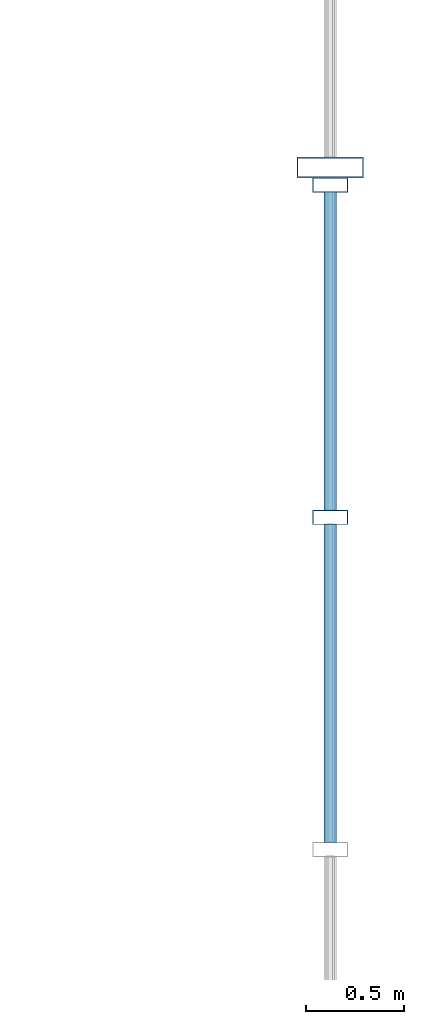
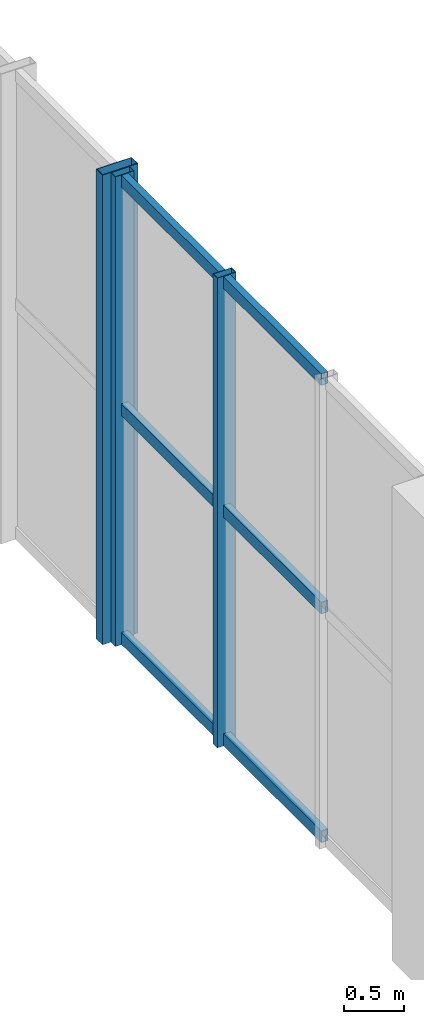
# One storey, part 58 of 106: 9 members, 2 elements without a shape of their own.
"""IFC4 building model written with IfcOpenShell, lengths in metres."""

from ifc_helpers import new_model, si_unit, direction, frame, origin, origin_2d, place, context, subcontext, project, spatial, hollow_rectangle, extrude, material, layer, layer_set, material_profile, profile_set, type_object, element, aggregate, save


model = new_model("IFC4")

# Units and contexts
model_context = context("Model", 3, precision=1e-05, world=origin(), true_north=direction((0.0, 1.0)))
body_context = subcontext(model_context, "Body", "Model", "MODEL_VIEW")
ifc_project = project(units=[si_unit("LENGTHUNIT", "METRE"), si_unit("AREAUNIT", "SQUARE_METRE"), si_unit("VOLUMEUNIT", "CUBIC_METRE"), si_unit("PLANEANGLEUNIT", "RADIAN"), si_unit("MASSUNIT", "GRAM", prefix="KILO"), si_unit("POWERUNIT", "WATT"), si_unit("THERMODYNAMICTEMPERATUREUNIT", "KELVIN")], contexts=[model_context])

# Site, building, storey
site_placement = place(None, origin())
site = spatial("IfcSite", under=ifc_project, at=site_placement, CompositionType="ELEMENT")
building_placement = place(site_placement, origin())
building = spatial("IfcBuilding", under=site, at=building_placement, Name="Kelmbourne Parkland Aquatics Centre", CompositionType="ELEMENT")
storey_placement = place(building_placement, frame((0.0, 0.0, 5.39990234375)))
storey = spatial("IfcBuildingStorey", under=building, at=storey_placement, Name="L01", CompositionType="ELEMENT", Elevation=5.39990234375)

# Curtain wall, members
ifc_material = material(Name="Thermally broken anodised aluminium framing", Category="aluminium")
ifc_layer_1 = layer(ifc_material, 0.179931640625)
ifc_layer_set_1 = layer_set([ifc_layer_1], Name="Thermally broken anodised aluminium framing")
curtain_wall_type_1 = type_object("IfcCurtainWallType", Name="CW-03", PredefinedType="NOTDEFINED", material=ifc_layer_set_1)
curtain_wall_1_placement = place(storey_placement, origin())
curtain_wall_1 = element("IfcCurtainWall", 1, at=curtain_wall_1_placement, inside=storey, type_object=curtain_wall_type_1, Name="Wave-hall clerestory curtain wall CW-L01-051", PredefinedType="NOTDEFINED")
ifc_material_profile_1 = material_profile(ifc_material, hollow_rectangle(XDim=0.074951171875, YDim=0.179931640625, WallThickness=0.00439453125, at=origin_2d()), Name="CW-M 75x180")
ifc_profile_set_1 = profile_set([ifc_material_profile_1], Name="Thermally broken anodised aluminium framing")
member_type_1 = type_object("IfcMemberType", Name="MB-MUL-2", PredefinedType="MULLION", material=ifc_profile_set_1)
member_1_placement = place(storey_placement, frame((175.199951171875, 61.771484375, 0.0), z_axis=(0.0, 0.0, 1.0), x_axis=(0.0, 1.0, 0.0)))
member_1 = element("IfcMember", 2, at=member_1_placement, type_object=member_type_1, Name="CW-L01-051 mullion 2", PredefinedType="MULLION", context=body_context, shape_type="SweptSolid", body=[
    extrude(hollow_rectangle(XDim=0.074951171875, YDim=0.179931640625, WallThickness=0.00439453125, at=origin_2d()), origin(), (0.0, 0.0, 1.0), 4.75),
])
member_2_placement = place(storey_placement, frame((175.199951171875, 63.46240234375, 0.0), z_axis=(0.0, 0.0, 1.0), x_axis=(0.0, 1.0, 0.0)))
member_2 = element("IfcMember", 3, at=member_2_placement, type_object=member_type_1, Name="CW-L01-051 mullion 3", PredefinedType="MULLION", context=body_context, shape_type="SweptSolid", body=[
    extrude(hollow_rectangle(XDim=0.074951171875, YDim=0.179931640625, WallThickness=0.00439453125, at=origin_2d()), origin(), (0.0, 0.0, 1.0), 4.75),
])

# Curtain wall, member
ifc_layer_2 = layer(ifc_material, 0.179931640625)
ifc_layer_set_2 = layer_set([ifc_layer_2], Name="Thermally broken anodised aluminium framing")
curtain_wall_type_2 = type_object("IfcCurtainWallType", Name="CW-06", PredefinedType="NOTDEFINED", material=ifc_layer_set_2)
curtain_wall_2_placement = place(storey_placement, origin())
curtain_wall_2 = element("IfcCurtainWall", 4, at=curtain_wall_2_placement, inside=storey, type_object=curtain_wall_type_2, Name="Wave-hall clerestory curtain wall CW-L01-054", PredefinedType="NOTDEFINED")
ifc_material_profile_2 = material_profile(ifc_material, hollow_rectangle(XDim=0.10498046875, YDim=0.340087890625, WallThickness=0.006103515625, at=origin_2d()), Name="CW-M 105x340")
ifc_profile_set_2 = profile_set([ifc_material_profile_2], Name="Thermally broken anodised aluminium framing")
member_type_2 = type_object("IfcMemberType", Name="MB-MUL-5", PredefinedType="MULLION", material=ifc_profile_set_2)
member_3_placement = place(storey_placement, frame((175.199951171875, 63.552490234375, 0.0), z_axis=(0.0, 0.0, 1.0), x_axis=(0.0, 1.0, 0.0)))
member_3 = element("IfcMember", 5, at=member_3_placement, type_object=member_type_2, Name="CW-L01-054 mullion 0", PredefinedType="MULLION", context=body_context, shape_type="SweptSolid", body=[
    extrude(hollow_rectangle(XDim=0.10498046875, YDim=0.340087890625, WallThickness=0.006103515625, at=origin_2d()), origin(), (0.0, 0.0, 1.0), 4.75),
])
aggregate(curtain_wall_2, [member_3])

# Member
ifc_material_profile_3 = material_profile(ifc_material, hollow_rectangle(XDim=0.06494140625, YDim=0.1201171875, WallThickness=0.00341796875, at=origin_2d()), Name="CW-T 65x120")
ifc_profile_set_3 = profile_set([ifc_material_profile_3], Name="Thermally broken anodised aluminium framing")
member_type_3 = type_object("IfcMemberType", Name="MB-TRN-1", PredefinedType="USERDEFINED", material=ifc_profile_set_3)
member_4_placement = place(storey_placement, frame((175.199951171875, 60.114013671875, 0.06298828125), z_axis=(0.0, 1.0, 0.0), x_axis=(-1.0, 0.0, 0.0)))
member_4 = element("IfcMember", 6, at=member_4_placement, type_object=member_type_3, Name="CW-L01-051 transom 0-1", ObjectType="TRANSOM", PredefinedType="USERDEFINED", context=body_context, shape_type="SweptSolid", body=[
    extrude(hollow_rectangle(XDim=0.06494140625, YDim=0.1201171875, WallThickness=0.00341796875, at=origin_2d()), origin(), (0.0, 0.0, 1.0), 1.6240234375),
])

member_5_placement = place(storey_placement, frame((175.199951171875, 61.804931640625, 0.06298828125), z_axis=(0.0, 1.0, 0.0), x_axis=(-1.0, 0.0, 0.0)))
member_5 = element("IfcMember", 7, at=member_5_placement, type_object=member_type_3, Name="CW-L01-051 transom 0-2", ObjectType="TRANSOM", PredefinedType="USERDEFINED", context=body_context, shape_type="SweptSolid", body=[
    extrude(hollow_rectangle(XDim=0.06494140625, YDim=0.1201171875, WallThickness=0.00341796875, at=origin_2d()), origin(), (0.0, 0.0, 1.0), 1.6240234375),
])

member_6_placement = place(storey_placement, frame((175.199951171875, 60.114013671875, 2.375), z_axis=(0.0, 1.0, 0.0), x_axis=(-1.0, 0.0, 0.0)))
member_6 = element("IfcMember", 8, at=member_6_placement, type_object=member_type_3, Name="CW-L01-051 transom 1-1", ObjectType="TRANSOM", PredefinedType="USERDEFINED", context=body_context, shape_type="SweptSolid", body=[
    extrude(hollow_rectangle(XDim=0.06494140625, YDim=0.1201171875, WallThickness=0.00341796875, at=origin_2d()), origin(), (0.0, 0.0, 1.0), 1.6240234375),
])

member_7_placement = place(storey_placement, frame((175.199951171875, 61.804931640625, 2.375), z_axis=(0.0, 1.0, 0.0), x_axis=(-1.0, 0.0, 0.0)))
member_7 = element("IfcMember", 9, at=member_7_placement, type_object=member_type_3, Name="CW-L01-051 transom 1-2", ObjectType="TRANSOM", PredefinedType="USERDEFINED", context=body_context, shape_type="SweptSolid", body=[
    extrude(hollow_rectangle(XDim=0.06494140625, YDim=0.1201171875, WallThickness=0.00341796875, at=origin_2d()), origin(), (0.0, 0.0, 1.0), 1.6240234375),
])

member_8_placement = place(storey_placement, frame((175.199951171875, 60.114013671875, 4.68701171875), z_axis=(0.0, 1.0, 0.0), x_axis=(-1.0, 0.0, 0.0)))
member_8 = element("IfcMember", 10, at=member_8_placement, type_object=member_type_3, Name="CW-L01-051 transom 2-1", ObjectType="TRANSOM", PredefinedType="USERDEFINED", context=body_context, shape_type="SweptSolid", body=[
    extrude(hollow_rectangle(XDim=0.06494140625, YDim=0.1201171875, WallThickness=0.00341796875, at=origin_2d()), origin(), (0.0, 0.0, 1.0), 1.6240234375),
])

member_9_placement = place(storey_placement, frame((175.199951171875, 61.804931640625, 4.68701171875), z_axis=(0.0, 1.0, 0.0), x_axis=(-1.0, 0.0, 0.0)))
member_9 = element("IfcMember", 11, at=member_9_placement, type_object=member_type_3, Name="CW-L01-051 transom 2-2", ObjectType="TRANSOM", PredefinedType="USERDEFINED", context=body_context, shape_type="SweptSolid", body=[
    extrude(hollow_rectangle(XDim=0.06494140625, YDim=0.1201171875, WallThickness=0.00341796875, at=origin_2d()), origin(), (0.0, 0.0, 1.0), 1.6240234375),
])

aggregate(curtain_wall_1, [member_1, member_2, member_4, member_5, member_6, member_7, member_8, member_9])

save(model, "model.ifc")
